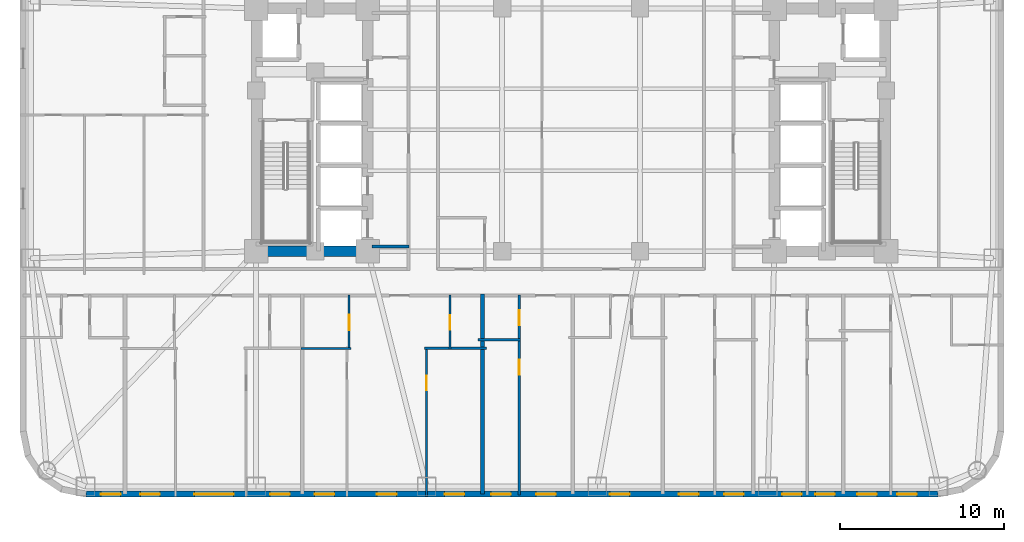
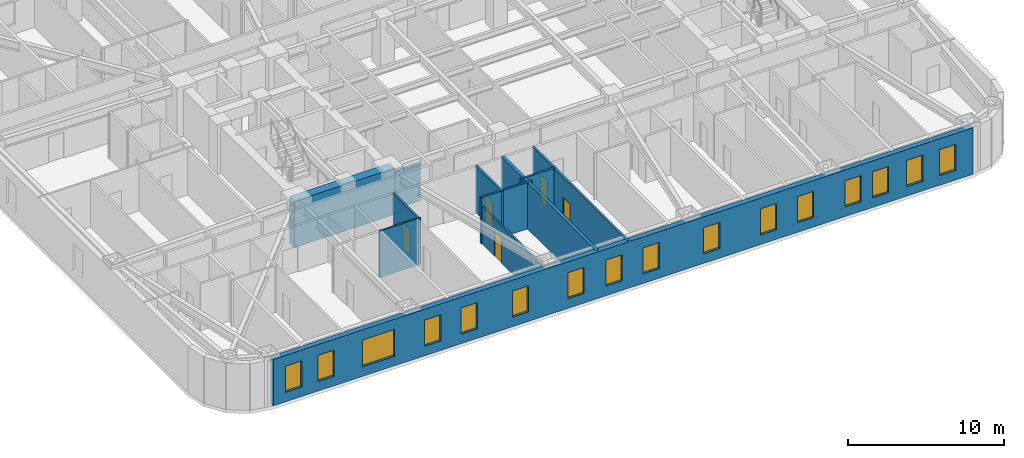
# One storey, part 3 of 11: 16 windows, 12 walls, 5 doors, 21 openings.
"""IFC4 building model written with IfcOpenShell, lengths in metres."""

from ifc_helpers import new_model, si_unit, direction, frame, frame_2d, origin, place, context, subcontext, project, spatial, rectangle, extrude, material, layer, layer_set, type_object, element, fill, save


model = new_model("IFC4")

# Units and contexts
model_context = context("Model", 3, precision=1e-05, world=origin(), true_north=direction((0.0, 1.0)))
body_context = subcontext(model_context, "Body", "Model", "MODEL_VIEW")
ifc_project = project(units=[si_unit("LENGTHUNIT", "METRE"), si_unit("AREAUNIT", "SQUARE_METRE"), si_unit("VOLUMEUNIT", "CUBIC_METRE"), si_unit("PLANEANGLEUNIT", "RADIAN"), si_unit("MASSUNIT", "GRAM", prefix="KILO")], contexts=[model_context])

# Site, building, storey
site_placement = place(None, origin())
site = spatial("IfcSite", under=ifc_project, at=site_placement, CompositionType="ELEMENT")
building_placement = place(site_placement, origin())
building = spatial("IfcBuilding", under=site, at=building_placement, Name="Voryun Gate Residences", CompositionType="ELEMENT")
storey_placement = place(building_placement, frame((0.0, 0.0, 37.699951171875)))
storey = spatial("IfcBuildingStorey", under=building, at=storey_placement, Name="L08", CompositionType="ELEMENT", Elevation=37.699951171875)

# Walls
ifc_material_1 = material(Name="Concrete C60/75", Category="concrete")
ifc_layer_1 = layer(ifc_material_1, 0.64990234375, Name="CW_CORE_650")
ifc_layer_set_1 = layer_set([ifc_layer_1], Name="Concrete C60/75")
wall_type_1 = type_object("IfcWallType", Name="CW_CORE_650", PredefinedType="SHEAR", material=ifc_layer_set_1)
wall_1_placement = place(storey_placement, frame((-19.52490234375, -7.39990234375, 0.0), z_axis=(0.0, 0.0, 1.0), x_axis=(1.0, 0.0, 0.0)))
element("IfcWall", 1, at=wall_1_placement, inside=storey, type_object=wall_type_1, Name="L08 Core shear wall CW-L08-WS", PredefinedType="SHEAR", context=body_context, shape_type="SweptSolid", body=[
    extrude(rectangle(XDim=7.449951171875, YDim=0.64990234375, at=frame_2d((3.72509765625, 0.0))), origin(), (0.0, 0.0, 1.0), 3.650146484375),
])
ifc_material_2 = material(Name="Gypsum acoustic fireboard")
ifc_layer_2 = layer(ifc_material_2, 0.179931640625, Name="W_CORR_RATED_180")
ifc_layer_set_2 = layer_set([ifc_layer_2], Name="Gypsum acoustic fireboard")
wall_type_2 = type_object("IfcWallType", Name="W_CORR_RATED_180", PredefinedType="PARTITIONING", material=ifc_layer_set_2)
wall_2_placement = place(storey_placement, frame((-12.14990234375, -7.1201171875, 0.0), z_axis=(0.0, 0.0, 1.0), x_axis=(1.0, 0.0, 0.0)))
element("IfcWall", 2, at=wall_2_placement, inside=storey, type_object=wall_type_2, Name="Partition wall WP-L08-PLBS-W", PredefinedType="PARTITIONING", context=body_context, shape_type="SweptSolid", body=[
    extrude(rectangle(XDim=2.27001953125, YDim=0.179931640625, at=frame_2d((1.135009765625, 0.0))), origin(), (0.0, 0.0, 1.0), 2.93994140625),
])

# Wall, openings, windows
ifc_material_3 = material(Name="Granite masonry", Category="masonry")
ifc_layer_3 = layer(ifc_material_3, 0.3798828125, Name="W_EXT_GRANITE_380")
ifc_layer_set_3 = layer_set([ifc_layer_3], Name="Granite masonry")
wall_type_3 = type_object("IfcWallType", Name="W_EXT_GRANITE_380", PredefinedType="ELEMENTEDWALL", material=ifc_layer_set_3)
wall_3_placement = place(storey_placement, frame((22.38134765625, -22.2099609375, 0.0), z_axis=(0.0, 0.0, 1.0), x_axis=(-1.0, 0.0, 0.0)))
wall_3 = element("IfcWall", 3, at=wall_3_placement, inside=storey, type_object=wall_type_3, Name="Exterior wall WEXT-L08-01", PredefinedType="ELEMENTEDWALL", context=body_context, shape_type="SweptSolid", body=[
    extrude(rectangle(XDim=51.962646484375, YDim=0.3798828125, at=frame_2d((25.9814453125, 0.0))), origin(), (0.0, 0.0, 1.0), 3.650146484375),
])
opening_1_placement = place(wall_3_placement, frame((42.9521484375, 0.0, 0.75)))
opening_1 = element("IfcOpeningElement", 4, at=opening_1_placement, cuts=wall_3, Name="Opening WN2", PredefinedType="OPENING", context=body_context, shape_type="SweptSolid", body=[
    extrude(rectangle(XDim=2.39990234375, YDim=2.10009765625, at=frame_2d((1.199951171875, 1.050048828125))), frame((0.0, 0.199951171875, 0.0), z_axis=(0.0, -1.0, 0.0), x_axis=(1.0, 0.0, 0.0)), (0.0, 0.0, 1.0), 0.39990234375),
])
opening_2_placement = place(wall_3_placement, frame((49.846923828125, 0.0, 0.75)))
opening_2 = element("IfcOpeningElement", 5, at=opening_2_placement, cuts=wall_3, Name="Opening WN6", PredefinedType="OPENING", context=body_context, shape_type="SweptSolid", body=[
    extrude(rectangle(XDim=1.199951171875, YDim=2.050048828125, at=frame_2d((0.60009765625, 1.02490234375))), frame((0.0, 0.199951171875, 0.0), z_axis=(0.0, -1.0, 0.0), x_axis=(1.0, 0.0, 0.0)), (0.0, 0.0, 1.0), 0.39990234375),
])
opening_3_placement = place(wall_3_placement, frame((47.4453125, 0.0, 0.75)))
opening_3 = element("IfcOpeningElement", 6, at=opening_3_placement, cuts=wall_3, Name="Opening WN6", PredefinedType="OPENING", context=body_context, shape_type="SweptSolid", body=[
    extrude(rectangle(XDim=1.199951171875, YDim=2.050048828125, at=frame_2d((0.60009765625, 1.02490234375))), frame((0.0, 0.199951171875, 0.0), z_axis=(0.0, -1.0, 0.0), x_axis=(1.0, 0.0, 0.0)), (0.0, 0.0, 1.0), 0.39990234375),
])
opening_4_placement = place(wall_3_placement, frame((39.5263671875, 0.0, 0.75)))
opening_4 = element("IfcOpeningElement", 7, at=opening_4_placement, cuts=wall_3, Name="Opening WN6", PredefinedType="OPENING", context=body_context, shape_type="SweptSolid", body=[
    extrude(rectangle(XDim=1.199951171875, YDim=2.050048828125, at=frame_2d((0.60009765625, 1.02490234375))), frame((0.0, 0.199951171875, 0.0), z_axis=(0.0, -1.0, 0.0), x_axis=(1.0, 0.0, 0.0)), (0.0, 0.0, 1.0), 0.39990234375),
])
opening_5_placement = place(wall_3_placement, frame((33.018310546875, 0.0, 0.75)))
opening_5 = element("IfcOpeningElement", 8, at=opening_5_placement, cuts=wall_3, Name="Opening WN6", PredefinedType="OPENING", context=body_context, shape_type="SweptSolid", body=[
    extrude(rectangle(XDim=1.199951171875, YDim=2.050048828125, at=frame_2d((0.60009765625, 1.02490234375))), frame((0.0, 0.199951171875, 0.0), z_axis=(0.0, -1.0, 0.0), x_axis=(1.0, 0.0, 0.0)), (0.0, 0.0, 1.0), 0.39990234375),
])
opening_6_placement = place(wall_3_placement, frame((36.813232421875, 0.0, 0.75)))
opening_6 = element("IfcOpeningElement", 9, at=opening_6_placement, cuts=wall_3, Name="Opening WN6", PredefinedType="OPENING", context=body_context, shape_type="SweptSolid", body=[
    extrude(rectangle(XDim=1.199951171875, YDim=2.050048828125, at=frame_2d((0.60009765625, 1.02490234375))), frame((0.0, 0.199951171875, 0.0), z_axis=(0.0, -1.0, 0.0), x_axis=(1.0, 0.0, 0.0)), (0.0, 0.0, 1.0), 0.39990234375),
])
opening_7_placement = place(wall_3_placement, frame((28.88623046875, 0.0, 0.75)))
opening_7 = element("IfcOpeningElement", 10, at=opening_7_placement, cuts=wall_3, Name="Opening WN6", PredefinedType="OPENING", context=body_context, shape_type="SweptSolid", body=[
    extrude(rectangle(XDim=1.199951171875, YDim=2.050048828125, at=frame_2d((0.60009765625, 1.02490234375))), frame((0.0, 0.199951171875, 0.0), z_axis=(0.0, -1.0, 0.0), x_axis=(1.0, 0.0, 0.0)), (0.0, 0.0, 1.0), 0.39990234375),
])
opening_8_placement = place(wall_3_placement, frame((23.306396484375, 0.0, 0.75)))
opening_8 = element("IfcOpeningElement", 11, at=opening_8_placement, cuts=wall_3, Name="Opening WN6", PredefinedType="OPENING", context=body_context, shape_type="SweptSolid", body=[
    extrude(rectangle(XDim=1.199951171875, YDim=2.050048828125, at=frame_2d((0.60009765625, 1.02490234375))), frame((0.0, 0.199951171875, 0.0), z_axis=(0.0, -1.0, 0.0), x_axis=(1.0, 0.0, 0.0)), (0.0, 0.0, 1.0), 0.39990234375),
])
opening_9_placement = place(wall_3_placement, frame((26.056396484375, 0.0, 0.75)))
opening_9 = element("IfcOpeningElement", 12, at=opening_9_placement, cuts=wall_3, Name="Opening WN6", PredefinedType="OPENING", context=body_context, shape_type="SweptSolid", body=[
    extrude(rectangle(XDim=1.199951171875, YDim=2.050048828125, at=frame_2d((0.60009765625, 1.02490234375))), frame((0.0, 0.199951171875, 0.0), z_axis=(0.0, -1.0, 0.0), x_axis=(1.0, 0.0, 0.0)), (0.0, 0.0, 1.0), 0.39990234375),
])
opening_10_placement = place(wall_3_placement, frame((18.811279296875, 0.0, 0.75)))
opening_10 = element("IfcOpeningElement", 13, at=opening_10_placement, cuts=wall_3, Name="Opening WN6", PredefinedType="OPENING", context=body_context, shape_type="SweptSolid", body=[
    extrude(rectangle(XDim=1.199951171875, YDim=2.050048828125, at=frame_2d((0.60009765625, 1.02490234375))), frame((0.0, 0.199951171875, 0.0), z_axis=(0.0, -1.0, 0.0), x_axis=(1.0, 0.0, 0.0)), (0.0, 0.0, 1.0), 0.39990234375),
])
opening_11_placement = place(wall_3_placement, frame((14.601806640625, 0.0, 0.75)))
opening_11 = element("IfcOpeningElement", 14, at=opening_11_placement, cuts=wall_3, Name="Opening WN6", PredefinedType="OPENING", context=body_context, shape_type="SweptSolid", body=[
    extrude(rectangle(XDim=1.199951171875, YDim=2.050048828125, at=frame_2d((0.60009765625, 1.02490234375))), frame((0.0, 0.199951171875, 0.0), z_axis=(0.0, -1.0, 0.0), x_axis=(1.0, 0.0, 0.0)), (0.0, 0.0, 1.0), 0.39990234375),
])
opening_12_placement = place(wall_3_placement, frame((11.851806640625, 0.0, 0.75)))
opening_12 = element("IfcOpeningElement", 15, at=opening_12_placement, cuts=wall_3, Name="Opening WN6", PredefinedType="OPENING", context=body_context, shape_type="SweptSolid", body=[
    extrude(rectangle(XDim=1.199951171875, YDim=2.050048828125, at=frame_2d((0.60009765625, 1.02490234375))), frame((0.0, 0.199951171875, 0.0), z_axis=(0.0, -1.0, 0.0), x_axis=(1.0, 0.0, 0.0)), (0.0, 0.0, 1.0), 0.39990234375),
])
opening_13_placement = place(wall_3_placement, frame((8.31640625, 0.0, 0.75)))
opening_13 = element("IfcOpeningElement", 16, at=opening_13_placement, cuts=wall_3, Name="Opening WN6", PredefinedType="OPENING", context=body_context, shape_type="SweptSolid", body=[
    extrude(rectangle(XDim=1.199951171875, YDim=2.050048828125, at=frame_2d((0.60009765625, 1.02490234375))), frame((0.0, 0.199951171875, 0.0), z_axis=(0.0, -1.0, 0.0), x_axis=(1.0, 0.0, 0.0)), (0.0, 0.0, 1.0), 0.39990234375),
])
opening_14_placement = place(wall_3_placement, frame((6.286376953125, 0.0, 0.75)))
opening_14 = element("IfcOpeningElement", 17, at=opening_14_placement, cuts=wall_3, Name="Opening WN6", PredefinedType="OPENING", context=body_context, shape_type="SweptSolid", body=[
    extrude(rectangle(XDim=1.199951171875, YDim=2.050048828125, at=frame_2d((0.60009765625, 1.02490234375))), frame((0.0, 0.199951171875, 0.0), z_axis=(0.0, -1.0, 0.0), x_axis=(1.0, 0.0, 0.0)), (0.0, 0.0, 1.0), 0.39990234375),
])
opening_15_placement = place(wall_3_placement, frame((3.73681640625, 0.0, 0.75)))
opening_15 = element("IfcOpeningElement", 18, at=opening_15_placement, cuts=wall_3, Name="Opening WN6", PredefinedType="OPENING", context=body_context, shape_type="SweptSolid", body=[
    extrude(rectangle(XDim=1.199951171875, YDim=2.050048828125, at=frame_2d((0.60009765625, 1.02490234375))), frame((0.0, 0.199951171875, 0.0), z_axis=(0.0, -1.0, 0.0), x_axis=(1.0, 0.0, 0.0)), (0.0, 0.0, 1.0), 0.39990234375),
])
opening_16_placement = place(wall_3_placement, frame((1.291015625, 0.0, 0.75)))
opening_16 = element("IfcOpeningElement", 19, at=opening_16_placement, cuts=wall_3, Name="Opening WN6", PredefinedType="OPENING", context=body_context, shape_type="SweptSolid", body=[
    extrude(rectangle(XDim=1.199951171875, YDim=2.050048828125, at=frame_2d((0.60009765625, 1.02490234375))), frame((0.0, 0.199951171875, 0.0), z_axis=(0.0, -1.0, 0.0), x_axis=(1.0, 0.0, 0.0)), (0.0, 0.0, 1.0), 0.39990234375),
])
ifc_material_4 = material(Name="Laminated low-E glass", Category="glass")
window_type_1 = type_object("IfcWindowType", Name="WN_POD_SLOT_1200", PartitioningType="SINGLE_PANEL", PredefinedType="WINDOW", material=ifc_material_4)
window_1_placement = place(opening_2_placement, origin())
window_1 = element("IfcWindow", 20, at=window_1_placement, inside=storey, type_object=window_type_1, Name="Window WN-L08-DWFIX-15", OverallHeight=2.050048828125, OverallWidth=1.199951171875, PartitioningType="SINGLE_PANEL", PredefinedType="WINDOW", context=body_context, shape_type="SweptSolid", body=[
    extrude(rectangle(XDim=1.199951171875, YDim=2.050048828125, at=frame_2d((0.60009765625, 1.02490234375))), frame((0.0, 0.030029296875, 0.0), z_axis=(0.0, -1.0, 0.0), x_axis=(1.0, 0.0, 0.0)), (0.0, 0.0, 1.0), 0.06005859375),
])
fill(opening_2, window_1)
window_2_placement = place(opening_3_placement, origin())
window_2 = element("IfcWindow", 21, at=window_2_placement, inside=storey, type_object=window_type_1, Name="Window WN-L08-DWFIX-16", OverallHeight=2.050048828125, OverallWidth=1.199951171875, PartitioningType="SINGLE_PANEL", PredefinedType="WINDOW", context=body_context, shape_type="SweptSolid", body=[
    extrude(rectangle(XDim=1.199951171875, YDim=2.050048828125, at=frame_2d((0.60009765625, 1.02490234375))), frame((0.0, 0.030029296875, 0.0), z_axis=(0.0, -1.0, 0.0), x_axis=(1.0, 0.0, 0.0)), (0.0, 0.0, 1.0), 0.06005859375),
])
fill(opening_3, window_2)
window_3_placement = place(opening_4_placement, origin())
window_3 = element("IfcWindow", 22, at=window_3_placement, inside=storey, type_object=window_type_1, Name="Window WN-L08-DWFIX-17", OverallHeight=2.050048828125, OverallWidth=1.199951171875, PartitioningType="SINGLE_PANEL", PredefinedType="WINDOW", context=body_context, shape_type="SweptSolid", body=[
    extrude(rectangle(XDim=1.199951171875, YDim=2.050048828125, at=frame_2d((0.60009765625, 1.02490234375))), frame((0.0, 0.030029296875, 0.0), z_axis=(0.0, -1.0, 0.0), x_axis=(1.0, 0.0, 0.0)), (0.0, 0.0, 1.0), 0.06005859375),
])
fill(opening_4, window_3)
window_4_placement = place(opening_5_placement, origin())
window_4 = element("IfcWindow", 23, at=window_4_placement, inside=storey, type_object=window_type_1, Name="Window WN-L08-DWFIX-18", OverallHeight=2.050048828125, OverallWidth=1.199951171875, PartitioningType="SINGLE_PANEL", PredefinedType="WINDOW", context=body_context, shape_type="SweptSolid", body=[
    extrude(rectangle(XDim=1.199951171875, YDim=2.050048828125, at=frame_2d((0.60009765625, 1.02490234375))), frame((0.0, 0.030029296875, 0.0), z_axis=(0.0, -1.0, 0.0), x_axis=(1.0, 0.0, 0.0)), (0.0, 0.0, 1.0), 0.06005859375),
])
fill(opening_5, window_4)
window_5_placement = place(opening_6_placement, origin())
window_5 = element("IfcWindow", 24, at=window_5_placement, inside=storey, type_object=window_type_1, Name="Window WN-L08-DWFIX-19", OverallHeight=2.050048828125, OverallWidth=1.199951171875, PartitioningType="SINGLE_PANEL", PredefinedType="WINDOW", context=body_context, shape_type="SweptSolid", body=[
    extrude(rectangle(XDim=1.199951171875, YDim=2.050048828125, at=frame_2d((0.60009765625, 1.02490234375))), frame((0.0, 0.030029296875, 0.0), z_axis=(0.0, -1.0, 0.0), x_axis=(1.0, 0.0, 0.0)), (0.0, 0.0, 1.0), 0.06005859375),
])
fill(opening_6, window_5)
window_6_placement = place(opening_7_placement, origin())
window_6 = element("IfcWindow", 25, at=window_6_placement, inside=storey, type_object=window_type_1, Name="Window WN-L08-DWFIX-20", OverallHeight=2.050048828125, OverallWidth=1.199951171875, PartitioningType="SINGLE_PANEL", PredefinedType="WINDOW", context=body_context, shape_type="SweptSolid", body=[
    extrude(rectangle(XDim=1.199951171875, YDim=2.050048828125, at=frame_2d((0.60009765625, 1.02490234375))), frame((0.0, 0.030029296875, 0.0), z_axis=(0.0, -1.0, 0.0), x_axis=(1.0, 0.0, 0.0)), (0.0, 0.0, 1.0), 0.06005859375),
])
fill(opening_7, window_6)
window_7_placement = place(opening_8_placement, origin())
window_7 = element("IfcWindow", 26, at=window_7_placement, inside=storey, type_object=window_type_1, Name="Window WN-L08-DWFIX-21", OverallHeight=2.050048828125, OverallWidth=1.199951171875, PartitioningType="SINGLE_PANEL", PredefinedType="WINDOW", context=body_context, shape_type="SweptSolid", body=[
    extrude(rectangle(XDim=1.199951171875, YDim=2.050048828125, at=frame_2d((0.60009765625, 1.02490234375))), frame((0.0, 0.030029296875, 0.0), z_axis=(0.0, -1.0, 0.0), x_axis=(1.0, 0.0, 0.0)), (0.0, 0.0, 1.0), 0.06005859375),
])
fill(opening_8, window_7)
window_8_placement = place(opening_9_placement, origin())
window_8 = element("IfcWindow", 27, at=window_8_placement, inside=storey, type_object=window_type_1, Name="Window WN-L08-DWFIX-22", OverallHeight=2.050048828125, OverallWidth=1.199951171875, PartitioningType="SINGLE_PANEL", PredefinedType="WINDOW", context=body_context, shape_type="SweptSolid", body=[
    extrude(rectangle(XDim=1.199951171875, YDim=2.050048828125, at=frame_2d((0.60009765625, 1.02490234375))), frame((0.0, 0.030029296875, 0.0), z_axis=(0.0, -1.0, 0.0), x_axis=(1.0, 0.0, 0.0)), (0.0, 0.0, 1.0), 0.06005859375),
])
fill(opening_9, window_8)
window_9_placement = place(opening_10_placement, origin())
window_9 = element("IfcWindow", 28, at=window_9_placement, inside=storey, type_object=window_type_1, Name="Window WN-L08-DWFIX-23", OverallHeight=2.050048828125, OverallWidth=1.199951171875, PartitioningType="SINGLE_PANEL", PredefinedType="WINDOW", context=body_context, shape_type="SweptSolid", body=[
    extrude(rectangle(XDim=1.199951171875, YDim=2.050048828125, at=frame_2d((0.60009765625, 1.02490234375))), frame((0.0, 0.030029296875, 0.0), z_axis=(0.0, -1.0, 0.0), x_axis=(1.0, 0.0, 0.0)), (0.0, 0.0, 1.0), 0.06005859375),
])
fill(opening_10, window_9)
window_10_placement = place(opening_11_placement, origin())
window_10 = element("IfcWindow", 29, at=window_10_placement, inside=storey, type_object=window_type_1, Name="Window WN-L08-DWFIX-24", OverallHeight=2.050048828125, OverallWidth=1.199951171875, PartitioningType="SINGLE_PANEL", PredefinedType="WINDOW", context=body_context, shape_type="SweptSolid", body=[
    extrude(rectangle(XDim=1.199951171875, YDim=2.050048828125, at=frame_2d((0.60009765625, 1.02490234375))), frame((0.0, 0.030029296875, 0.0), z_axis=(0.0, -1.0, 0.0), x_axis=(1.0, 0.0, 0.0)), (0.0, 0.0, 1.0), 0.06005859375),
])
fill(opening_11, window_10)
window_11_placement = place(opening_12_placement, origin())
window_11 = element("IfcWindow", 30, at=window_11_placement, inside=storey, type_object=window_type_1, Name="Window WN-L08-DWFIX-25", OverallHeight=2.050048828125, OverallWidth=1.199951171875, PartitioningType="SINGLE_PANEL", PredefinedType="WINDOW", context=body_context, shape_type="SweptSolid", body=[
    extrude(rectangle(XDim=1.199951171875, YDim=2.050048828125, at=frame_2d((0.60009765625, 1.02490234375))), frame((0.0, 0.030029296875, 0.0), z_axis=(0.0, -1.0, 0.0), x_axis=(1.0, 0.0, 0.0)), (0.0, 0.0, 1.0), 0.06005859375),
])
fill(opening_12, window_11)
window_12_placement = place(opening_13_placement, origin())
window_12 = element("IfcWindow", 31, at=window_12_placement, inside=storey, type_object=window_type_1, Name="Window WN-L08-DWFIX-26", OverallHeight=2.050048828125, OverallWidth=1.199951171875, PartitioningType="SINGLE_PANEL", PredefinedType="WINDOW", context=body_context, shape_type="SweptSolid", body=[
    extrude(rectangle(XDim=1.199951171875, YDim=2.050048828125, at=frame_2d((0.60009765625, 1.02490234375))), frame((0.0, 0.030029296875, 0.0), z_axis=(0.0, -1.0, 0.0), x_axis=(1.0, 0.0, 0.0)), (0.0, 0.0, 1.0), 0.06005859375),
])
fill(opening_13, window_12)
window_13_placement = place(opening_14_placement, origin())
window_13 = element("IfcWindow", 32, at=window_13_placement, inside=storey, type_object=window_type_1, Name="Window WN-L08-DWFIX-27", OverallHeight=2.050048828125, OverallWidth=1.199951171875, PartitioningType="SINGLE_PANEL", PredefinedType="WINDOW", context=body_context, shape_type="SweptSolid", body=[
    extrude(rectangle(XDim=1.199951171875, YDim=2.050048828125, at=frame_2d((0.60009765625, 1.02490234375))), frame((0.0, 0.030029296875, 0.0), z_axis=(0.0, -1.0, 0.0), x_axis=(1.0, 0.0, 0.0)), (0.0, 0.0, 1.0), 0.06005859375),
])
fill(opening_14, window_13)
window_14_placement = place(opening_15_placement, origin())
window_14 = element("IfcWindow", 33, at=window_14_placement, inside=storey, type_object=window_type_1, Name="Window WN-L08-DWFIX-28", OverallHeight=2.050048828125, OverallWidth=1.199951171875, PartitioningType="SINGLE_PANEL", PredefinedType="WINDOW", context=body_context, shape_type="SweptSolid", body=[
    extrude(rectangle(XDim=1.199951171875, YDim=2.050048828125, at=frame_2d((0.60009765625, 1.02490234375))), frame((0.0, 0.030029296875, 0.0), z_axis=(0.0, -1.0, 0.0), x_axis=(1.0, 0.0, 0.0)), (0.0, 0.0, 1.0), 0.06005859375),
])
fill(opening_15, window_14)
window_15_placement = place(opening_16_placement, origin())
window_15 = element("IfcWindow", 34, at=window_15_placement, inside=storey, type_object=window_type_1, Name="Window WN-L08-DWFIX-29", OverallHeight=2.050048828125, OverallWidth=1.199951171875, PartitioningType="SINGLE_PANEL", PredefinedType="WINDOW", context=body_context, shape_type="SweptSolid", body=[
    extrude(rectangle(XDim=1.199951171875, YDim=2.050048828125, at=frame_2d((0.60009765625, 1.02490234375))), frame((0.0, 0.030029296875, 0.0), z_axis=(0.0, -1.0, 0.0), x_axis=(1.0, 0.0, 0.0)), (0.0, 0.0, 1.0), 0.06005859375),
])
fill(opening_16, window_15)
ifc_material_5 = material(Name="Laminated low-E glass", Category="glass")
window_type_2 = type_object("IfcWindowType", Name="WN_RES_WIDE_2400", PartitioningType="SINGLE_PANEL", PredefinedType="WINDOW", material=ifc_material_5)
window_16_placement = place(opening_1_placement, origin())
window_16 = element("IfcWindow", 35, at=window_16_placement, inside=storey, type_object=window_type_2, Name="Window WN-WEXT-L08-01-03", OverallHeight=2.10009765625, OverallWidth=2.39990234375, PartitioningType="SINGLE_PANEL", PredefinedType="WINDOW", context=body_context, shape_type="SweptSolid", body=[
    extrude(rectangle(XDim=2.39990234375, YDim=2.10009765625, at=frame_2d((1.199951171875, 1.050048828125))), frame((0.0, 0.030029296875, 0.0), z_axis=(0.0, -1.0, 0.0), x_axis=(1.0, 0.0, 0.0)), (0.0, 0.0, 1.0), 0.06005859375),
])
fill(opening_1, window_16)

# Wall
ifc_material_6 = material(Name="Concrete C40/50", Category="concrete")
ifc_layer_4 = layer(ifc_material_6, 0.219970703125, Name="W_PARTY_ACOUSTIC_220")
ifc_layer_set_4 = layer_set([ifc_layer_4], Name="Concrete C40/50")
wall_type_4 = type_object("IfcWallType", Name="W_PARTY_ACOUSTIC_220", PredefinedType="PARTITIONING", material=ifc_layer_set_4)
wall_4_placement = place(storey_placement, frame((-5.39990234375, -22.2099609375, 0.0), z_axis=(0.0, 0.0, 1.0), x_axis=(0.0, 1.0, 0.0)))
element("IfcWall", 36, at=wall_4_placement, inside=storey, type_object=wall_type_4, Name="Partition wall WP-L08-SPTY-3", PredefinedType="PARTITIONING", context=body_context, shape_type="SweptSolid", body=[
    extrude(rectangle(XDim=12.18994140625, YDim=0.219970703125, at=frame_2d((6.094970703125, 0.0))), origin(), (0.0, 0.0, 1.0), 3.650146484375),
])

# Wall, opening, door
ifc_material_7 = material(Name="Gypsum acoustic partition")
ifc_layer_5 = layer(ifc_material_7, 0.125, Name="W_UNIT_PART_125")
ifc_layer_set_5 = layer_set([ifc_layer_5], Name="Gypsum acoustic partition")
wall_type_5 = type_object("IfcWallType", Name="W_UNIT_PART_125", PredefinedType="PARTITIONING", material=ifc_layer_set_5)
wall_5_placement = place(storey_placement, frame((-8.81005859375, -22.360107421875, 0.0), z_axis=(0.0, 0.0, 1.0), x_axis=(0.0, 1.0, 0.0)))
wall_5 = element("IfcWall", 37, at=wall_5_placement, inside=storey, type_object=wall_type_5, Name="Partition wall WP-L08-S3-OVR", PredefinedType="PARTITIONING", context=body_context, shape_type="SweptSolid", body=[
    extrude(rectangle(XDim=9.1201171875, YDim=0.125, at=frame_2d((4.56005859375, 0.0))), origin(), (0.0, 0.0, 1.0), 2.93994140625),
])
opening_17_placement = place(wall_5_placement, frame((6.481201171875, 0.0, 0.0)))
opening_17 = element("IfcOpeningElement", 38, at=opening_17_placement, cuts=wall_5, Name="Opening D-INT-2", PredefinedType="OPENING", context=body_context, shape_type="SweptSolid", body=[
    extrude(rectangle(XDim=0.89990234375, YDim=2.050048828125, at=frame_2d((0.449951171875, 1.02490234375))), frame((0.0, 0.072509765625, 0.0), z_axis=(0.0, -1.0, 0.0), x_axis=(1.0, 0.0, 0.0)), (0.0, 0.0, 1.0), 0.14501953125),
])
ifc_material_8 = material(Name="Architectural oak veneer")
door_type_1 = type_object("IfcDoorType", Name="DR_INT_BATH_900", OperationType="NOTDEFINED", PredefinedType="DOOR", material=ifc_material_8)
door_1_placement = place(opening_17_placement, origin())
door_1 = element("IfcDoor", 39, at=door_1_placement, inside=storey, type_object=door_type_1, Name="Door DR-L08-S3-DMB", OperationType="SINGLE_SWING_RIGHT", OverallHeight=2.050048828125, OverallWidth=0.89990234375, PredefinedType="DOOR", context=body_context, shape_type="SweptSolid", body=[
    extrude(rectangle(XDim=0.89990234375, YDim=2.050048828125, at=frame_2d((0.449951171875, 1.02490234375))), frame((0.0, 0.02490234375, 0.0), z_axis=(0.0, -1.0, 0.0), x_axis=(1.0, 0.0, 0.0)), (0.0, 0.0, 1.0), 0.050048828125),
])
fill(opening_17, door_1)

wall_6_placement = place(storey_placement, frame((-13.532958984375, -13.39990234375, 0.0), z_axis=(0.0, 0.0, 1.0), x_axis=(0.0, 1.0, 0.0)))
wall_6 = element("IfcWall", 40, at=wall_6_placement, inside=storey, type_object=wall_type_5, Name="Partition wall WP-L08-S3-IVK", PredefinedType="PARTITIONING", context=body_context, shape_type="SweptSolid", body=[
    extrude(rectangle(XDim=3.31982421875, YDim=0.125, at=frame_2d((1.659912109375, 0.0))), origin(), (0.0, 0.0, 1.0), 3.650146484375),
])
opening_18_placement = place(wall_6_placement, frame((1.18505859375, 0.0, 0.0)))
opening_18 = element("IfcOpeningElement", 41, at=opening_18_placement, cuts=wall_6, Name="Opening D-INT-1", PredefinedType="OPENING", context=body_context, shape_type="SweptSolid", body=[
    extrude(rectangle(XDim=0.949951171875, YDim=2.050048828125, at=frame_2d((0.47509765625, 1.02490234375))), frame((0.0, 0.072509765625, 0.0), z_axis=(0.0, -1.0, 0.0), x_axis=(1.0, 0.0, 0.0)), (0.0, 0.0, 1.0), 0.14501953125),
])
ifc_material_9 = material(Name="Architectural oak veneer")
door_type_2 = type_object("IfcDoorType", Name="DR_INT_ROOM_950", OperationType="NOTDEFINED", PredefinedType="DOOR", material=ifc_material_9)
door_2_placement = place(opening_18_placement, origin())
door_2 = element("IfcDoor", 42, at=door_2_placement, inside=storey, type_object=door_type_2, Name="Door DR-L08-S3-DK", OperationType="SINGLE_SWING_LEFT", OverallHeight=2.050048828125, OverallWidth=0.949951171875, PredefinedType="DOOR", context=body_context, shape_type="SweptSolid", body=[
    extrude(rectangle(XDim=0.949951171875, YDim=2.050048828125, at=frame_2d((0.47509765625, 1.02490234375))), frame((0.0, 0.02490234375, 0.0), z_axis=(0.0, -1.0, 0.0), x_axis=(1.0, 0.0, 0.0)), (0.0, 0.0, 1.0), 0.050048828125),
])
fill(opening_18, door_2)

# Walls
wall_7_placement = place(storey_placement, frame((-16.47509765625, -13.320068359375, 0.0), z_axis=(0.0, 0.0, 1.0), x_axis=(1.0, 0.0, 0.0)))
element("IfcWall", 43, at=wall_7_placement, inside=storey, type_object=wall_type_5, Name="Partition wall WP-L08-S3-HZK", PredefinedType="PARTITIONING", context=body_context, shape_type="SweptSolid", body=[
    extrude(rectangle(XDim=3.06201171875, YDim=0.125, at=frame_2d((1.531005859375, 0.0))), origin(), (0.0, 0.0, 1.0), 3.650146484375),
])
ifc_material_10 = material(Name="Gypsum moisture-resistant partition")
ifc_layer_6 = layer(ifc_material_10, 0.14990234375, Name="W_WET_PLUMB_150")
ifc_layer_set_6 = layer_set([ifc_layer_6], Name="Gypsum moisture-resistant partition")
wall_type_6 = type_object("IfcWallType", Name="W_WET_PLUMB_150", PredefinedType="PLUMBINGWALL", material=ifc_layer_set_6)
wall_8_placement = place(storey_placement, frame((-8.929931640625, -13.320068359375, 0.0), z_axis=(0.0, 0.0, 1.0), x_axis=(1.0, 0.0, 0.0)))
element("IfcWall", 44, at=wall_8_placement, inside=storey, type_object=wall_type_6, Name="Partition wall WP-L08-S3-HZB", PredefinedType="PLUMBINGWALL", context=body_context, shape_type="SweptSolid", body=[
    extrude(rectangle(XDim=3.7900390625, YDim=0.14990234375, at=frame_2d((1.89501953125, 0.0))), origin(), (0.0, 0.0, 1.0), 3.650146484375),
])

# Wall, opening, door
wall_9_placement = place(storey_placement, frame((-7.3798828125, -13.39990234375, 0.0), z_axis=(0.0, 0.0, 1.0), x_axis=(0.0, 1.0, 0.0)))
wall_9 = element("IfcWall", 45, at=wall_9_placement, inside=storey, type_object=wall_type_6, Name="Partition wall WP-L08-S3-IVB", PredefinedType="PLUMBINGWALL", context=body_context, shape_type="SweptSolid", body=[
    extrude(rectangle(XDim=3.31982421875, YDim=0.14990234375, at=frame_2d((1.659912109375, 0.0))), origin(), (0.0, 0.0, 1.0), 3.650146484375),
])
opening_19_placement = place(wall_9_placement, frame((1.2099609375, 0.0, 0.0)))
opening_19 = element("IfcOpeningElement", 46, at=opening_19_placement, cuts=wall_9, Name="Opening D-INT-2", PredefinedType="OPENING", context=body_context, shape_type="SweptSolid", body=[
    extrude(rectangle(XDim=0.89990234375, YDim=2.050048828125, at=frame_2d((0.449951171875, 1.02490234375))), frame((0.0, 0.0849609375, 0.0), z_axis=(0.0, -1.0, 0.0), x_axis=(1.0, 0.0, 0.0)), (0.0, 0.0, 1.0), 0.169921875),
])
door_3_placement = place(opening_19_placement, origin())
door_3 = element("IfcDoor", 47, at=door_3_placement, inside=storey, type_object=door_type_1, Name="Door DR-L08-S3-DB", OperationType="SINGLE_SWING_RIGHT", OverallHeight=2.050048828125, OverallWidth=0.89990234375, PredefinedType="DOOR", context=body_context, shape_type="SweptSolid", body=[
    extrude(rectangle(XDim=0.89990234375, YDim=2.050048828125, at=frame_2d((0.449951171875, 1.02490234375))), frame((0.0, 0.02490234375, 0.0), z_axis=(0.0, -1.0, 0.0), x_axis=(1.0, 0.0, 0.0)), (0.0, 0.0, 1.0), 0.050048828125),
])
fill(opening_19, door_3)

# Wall
wall_10_placement = place(storey_placement, frame((-5.659912109375, -12.800048828125, 0.0), z_axis=(0.0, 0.0, 1.0), x_axis=(1.0, 0.0, 0.0)))
element("IfcWall", 48, at=wall_10_placement, inside=storey, type_object=wall_type_6, Name="Partition wall WP-L08-S4-SKB", PredefinedType="PLUMBINGWALL", context=body_context, shape_type="SweptSolid", body=[
    extrude(rectangle(XDim=2.58984375, YDim=0.14990234375, at=frame_2d((1.294921875, 0.0))), origin(), (0.0, 0.0, 1.0), 3.650146484375),
])

# Wall, opening, door
wall_11_placement = place(storey_placement, frame((-3.14990234375, -22.257568359375, 0.0), z_axis=(0.0, 0.0, 1.0), x_axis=(0.0, 1.0, 0.0)))
wall_11 = element("IfcWall", 49, at=wall_11_placement, inside=storey, type_object=wall_type_6, Name="Partition wall WP-L08-S4-SVT1", PredefinedType="PLUMBINGWALL", context=body_context, shape_type="SweptSolid", body=[
    extrude(rectangle(XDim=9.49755859375, YDim=0.14990234375, at=frame_2d((4.748779296875, 0.0))), origin(), (0.0, 0.0, 1.0), 3.650146484375),
])
opening_20_placement = place(wall_11_placement, frame((7.337890625, 0.0, 0.0)))
opening_20 = element("IfcOpeningElement", 50, at=opening_20_placement, cuts=wall_11, Name="Opening D-INT-2", PredefinedType="OPENING", context=body_context, shape_type="SweptSolid", body=[
    extrude(rectangle(XDim=0.89990234375, YDim=2.050048828125, at=frame_2d((0.449951171875, 1.02490234375))), frame((0.0, 0.0849609375, 0.0), z_axis=(0.0, -1.0, 0.0), x_axis=(1.0, 0.0, 0.0)), (0.0, 0.0, 1.0), 0.169921875),
])
door_4_placement = place(opening_20_placement, origin())
door_4 = element("IfcDoor", 51, at=door_4_placement, inside=storey, type_object=door_type_1, Name="Door DR-L08-S4-DK", OperationType="SINGLE_SWING_LEFT", OverallHeight=2.050048828125, OverallWidth=0.89990234375, PredefinedType="DOOR", context=body_context, shape_type="SweptSolid", body=[
    extrude(rectangle(XDim=0.89990234375, YDim=2.050048828125, at=frame_2d((0.449951171875, 1.02490234375))), frame((0.0, 0.02490234375, 0.0), z_axis=(0.0, -1.0, 0.0), x_axis=(1.0, 0.0, 0.0)), (0.0, 0.0, 1.0), 0.050048828125),
])
fill(opening_20, door_4)

wall_12_placement = place(storey_placement, frame((-3.14990234375, -12.840087890625, 0.0), z_axis=(0.0, 0.0, 1.0), x_axis=(0.0, 1.0, 0.0)))
wall_12 = element("IfcWall", 52, at=wall_12_placement, inside=storey, type_object=wall_type_6, Name="Partition wall WP-L08-S4-SVT2", PredefinedType="PLUMBINGWALL", context=body_context, shape_type="SweptSolid", body=[
    extrude(rectangle(XDim=2.760009765625, YDim=0.14990234375, at=frame_2d((1.3798828125, 0.0))), origin(), (0.0, 0.0, 1.0), 3.650146484375),
])
opening_21_placement = place(wall_12_placement, frame((0.929931640625, 0.0, 0.0)))
opening_21 = element("IfcOpeningElement", 53, at=opening_21_placement, cuts=wall_12, Name="Opening D-INT-2", PredefinedType="OPENING", context=body_context, shape_type="SweptSolid", body=[
    extrude(rectangle(XDim=0.89990234375, YDim=2.050048828125, at=frame_2d((0.449951171875, 1.02490234375))), frame((0.0, 0.0849609375, 0.0), z_axis=(0.0, -1.0, 0.0), x_axis=(1.0, 0.0, 0.0)), (0.0, 0.0, 1.0), 0.169921875),
])
door_5_placement = place(opening_21_placement, origin())
door_5 = element("IfcDoor", 54, at=door_5_placement, inside=storey, type_object=door_type_1, Name="Door DR-L08-S4-DB", OperationType="SINGLE_SWING_RIGHT", OverallHeight=2.050048828125, OverallWidth=0.89990234375, PredefinedType="DOOR", context=body_context, shape_type="SweptSolid", body=[
    extrude(rectangle(XDim=0.89990234375, YDim=2.050048828125, at=frame_2d((0.449951171875, 1.02490234375))), frame((0.0, 0.02490234375, 0.0), z_axis=(0.0, -1.0, 0.0), x_axis=(1.0, 0.0, 0.0)), (0.0, 0.0, 1.0), 0.050048828125),
])
fill(opening_21, door_5)

save(model, "model.ifc")
